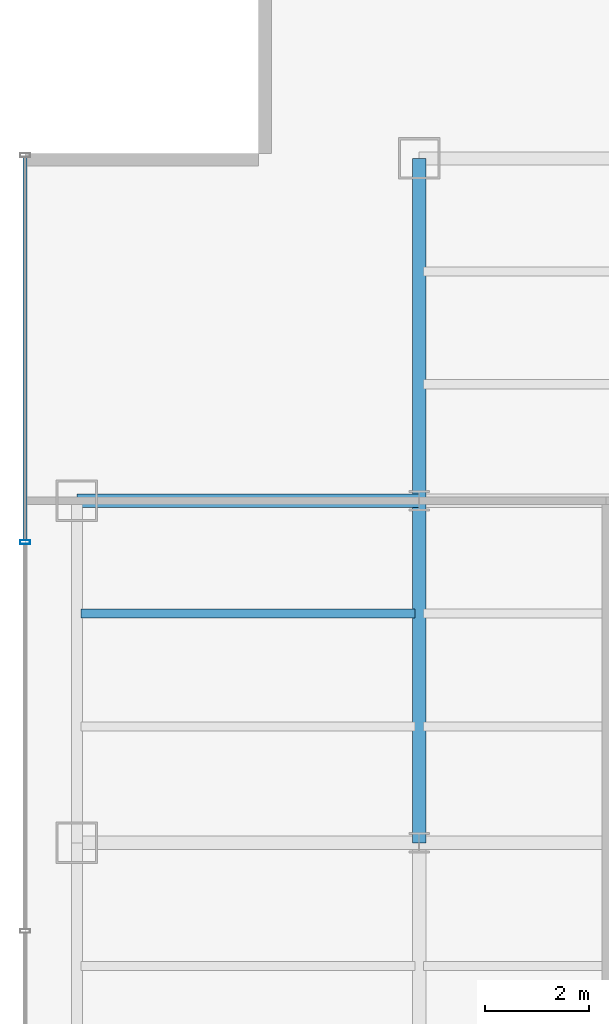
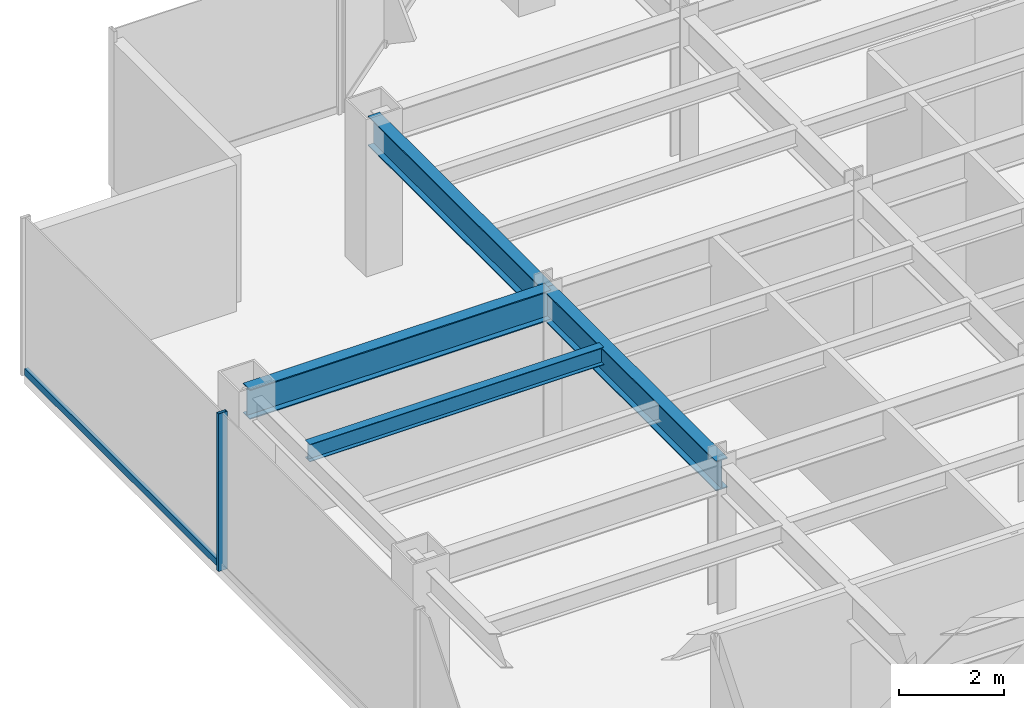
# One storey, part 6 of 26: 4 beams, 2 members, 1 element without a shape of its own.
"""IFC4 building model written with IfcOpenShell, lengths in metres."""

from ifc_helpers import new_model, si_unit, derived_unit, direction, frame, origin, origin_2d, place, context, subcontext, project, spatial, hollow_rectangle, i_section, extrude, source, transform, mapped, material, material_profile, profile_set, type_object, element, aggregate, save


model = new_model("IFC4")

# Units and contexts
model_context = context("Model", 3, precision=1e-05, world=origin(), true_north=direction((0.0, 1.0)))
body_context = subcontext(model_context, "Body", "Model", "MODEL_VIEW")
ifc_project = project(units=[si_unit("LENGTHUNIT", "METRE"), si_unit("AREAUNIT", "SQUARE_METRE"), si_unit("VOLUMEUNIT", "CUBIC_METRE"), si_unit("PLANEANGLEUNIT", "RADIAN"), si_unit("MASSUNIT", "GRAM", prefix="KILO"), derived_unit("THERMALTRANSMITTANCEUNIT", [(si_unit("POWERUNIT", "WATT"), 1), (si_unit("LENGTHUNIT", "METRE"), -2), (si_unit("THERMODYNAMICTEMPERATUREUNIT", "KELVIN"), -1)])], contexts=[model_context])

# Site, building, storey
site_placement = place(None, origin())
site = spatial("IfcSite", under=ifc_project, at=site_placement, CompositionType="ELEMENT")
building_placement = place(site_placement, origin())
building = spatial("IfcBuilding", under=site, at=building_placement, Name="Skarnbrae Concourse Arena and Tower", CompositionType="ELEMENT")
storey_placement = place(building_placement, frame((0.0, 0.0, 92.300048828125)))
storey = spatial("IfcBuildingStorey", under=building, at=storey_placement, Name="L22", CompositionType="ELEMENT", Elevation=92.300048828125)

# Beams
ifc_material_1 = material(Name="Steel CSA G40.21 350W", Category="steel")
ifc_material_profile_1 = material_profile(ifc_material_1, i_section(OverallWidth=0.256103515625, OverallDepth=0.693115234375, WebThickness=0.014404296875, FlangeThickness=0.023681640625, at=origin_2d()), Name="W690X170")
ifc_profile_set_1 = profile_set([ifc_material_profile_1], Name="Steel CSA G40.21 350W")
beam_type_1 = type_object("IfcBeamType", Name="BM-GIRD-W690X170", PredefinedType="BEAM", material=ifc_profile_set_1)
shared_shape_1 = source(origin(), body_context, "Body", "SweptSolid", [
    extrude(i_section(OverallWidth=0.256103515625, OverallDepth=0.693115234375, WebThickness=0.014404296875, FlangeThickness=0.023681640625, at=origin_2d()), origin(), (0.0, 0.0, 1.0), 6.60009765625),
])
for number, where, z_axis, x_axis, name in (
    (1, (1.0, 27.800048828125, 3.053466796875), (1.0, 0.0, 0.0), (0.0, 1.0, 0.0), "L22 Primary E-W girder Y27.8-1"),
    (2, (7.60009765625, 21.199951171875, 3.053466796875), (0.0, 1.0, 0.0), (-1.0, 0.0, 0.0), "L22 Primary N-S girder X7.6-2"),
):
    element("IfcBeam", number, at=place(storey_placement, frame(where, z_axis=z_axis, x_axis=x_axis)), inside=storey, type_object=beam_type_1, Name=name, PredefinedType="BEAM", context=body_context, shape_type="MappedRepresentation", body=[
        mapped(shared_shape_1, transform((0.0, 0.0, 0.0))),
    ])
shared_shape_2 = source(origin(), body_context, "Body", "SweptSolid", [
    extrude(i_section(OverallWidth=0.256103515625, OverallDepth=0.693115234375, WebThickness=0.014404296875, FlangeThickness=0.023681640625, at=origin_2d()), origin(), (0.0, 0.0, 1.0), 6.599853515625),
])
beam_1_placement = place(storey_placement, frame((7.60009765625, 27.800048828125, 3.053466796875), z_axis=(0.0, 1.0, 0.0), x_axis=(-1.0, 0.0, 0.0)))
element("IfcBeam", 3, at=beam_1_placement, inside=storey, type_object=beam_type_1, Name="L22 Primary N-S girder X7.6-3", PredefinedType="BEAM", context=body_context, shape_type="MappedRepresentation", body=[
    mapped(shared_shape_2, transform((0.0, 0.0, 0.0))),
])
ifc_material_profile_2 = material_profile(ifc_material_1, i_section(OverallWidth=0.177978515625, OverallDepth=0.406982421875, WebThickness=0.0078125, FlangeThickness=0.0126953125, at=origin_2d()), Name="W410X60")
ifc_profile_set_2 = profile_set([ifc_material_profile_2], Name="Steel CSA G40.21 350W")
beam_type_2 = type_object("IfcBeamType", Name="BM-JOIST-W410X60", PredefinedType="JOIST", material=ifc_profile_set_2)
shared_shape_3 = source(origin(), body_context, "Body", "SweptSolid", [
    extrude(i_section(OverallWidth=0.177978515625, OverallDepth=0.406982421875, WebThickness=0.0078125, FlangeThickness=0.0126953125, at=origin_2d()), origin(), (0.0, 0.0, 1.0), 6.43994140625),
])
beam_2_placement = place(storey_placement, frame((1.080078125, 25.6220703125, 3.196533203125), z_axis=(1.0, 0.0, 0.0), x_axis=(0.0, 1.0, 0.0)))
element("IfcBeam", 4, at=beam_2_placement, inside=storey, type_object=beam_type_2, Name="L22 Secondary floor joist 2.2.1", PredefinedType="JOIST", context=body_context, shape_type="MappedRepresentation", body=[
    mapped(shared_shape_3, transform((0.0, 0.0, 0.0))),
])

# Curtain wall, members
ifc_material_2 = material(Name="Bronze anodised aluminium 6063-T6", Category="aluminium")
curtain_wall_type = type_object("IfcCurtainWallType", Name="CW-SYS-04-MIDZONE", PredefinedType="USERDEFINED", material=ifc_material_2)
curtain_wall_placement = place(storey_placement, origin())
curtain_wall = element("IfcCurtainWall", 5, at=curtain_wall_placement, inside=storey, type_object=curtain_wall_type, Name="L22 Unitised curtain wall CW-L22-E19", ObjectType="UNITISED CURTAIN WALL", PredefinedType="USERDEFINED")
ifc_material_profile_3 = material_profile(ifc_material_2, hollow_rectangle(XDim=0.074951171875, YDim=0.159912109375, WallThickness=0.00439453125, at=origin_2d()), Name="ALU-TRAN-75X160")
ifc_profile_set_3 = profile_set([ifc_material_profile_3], Name="Bronze anodised aluminium 6063-T6")
member_type_1 = type_object("IfcMemberType", Name="CWT-CW-04", PredefinedType="USERDEFINED", material=ifc_profile_set_3)
shared_shape_4 = source(origin(), body_context, "Body", "SweptSolid", [
    extrude(hollow_rectangle(XDim=0.074951171875, YDim=0.159912109375, WallThickness=0.00439453125, at=origin_2d()), origin(), (0.0, 0.0, 1.0), 7.387451171875),
])
member_1_placement = place(storey_placement, frame((0.0, 34.425048828125, 0.079833984375), z_axis=(0.0, -1.0, 0.0), x_axis=(1.0, 0.0, 0.0)))
member_1 = element("IfcMember", 6, at=member_1_placement, type_object=member_type_1, Name="CW-L22-E19 Transom 1", ObjectType="TRANSOM", PredefinedType="USERDEFINED", context=body_context, shape_type="MappedRepresentation", body=[
    mapped(shared_shape_4, transform((0.0, 0.0, 0.0))),
])
ifc_material_profile_4 = material_profile(ifc_material_2, hollow_rectangle(XDim=0.074951171875, YDim=0.195068359375, WallThickness=0.00439453125, at=origin_2d()), Name="ALU-MULL-75X195")
ifc_profile_set_4 = profile_set([ifc_material_profile_4], Name="Bronze anodised aluminium 6063-T6")
member_type_2 = type_object("IfcMemberType", Name="CWM-CW-04", PredefinedType="MULLION", material=ifc_profile_set_4)
shared_shape_5 = source(origin(), body_context, "Body", "SweptSolid", [
    extrude(hollow_rectangle(XDim=0.074951171875, YDim=0.195068359375, WallThickness=0.00439453125, at=origin_2d()), origin(), (0.0, 0.0, 1.0), 3.64990234375),
])
member_2_placement = place(storey_placement, frame((0.0, 27.0, 0.0), z_axis=(0.0, 0.0, 1.0), x_axis=(0.0, -1.0, 0.0)))
member_2 = element("IfcMember", 7, at=member_2_placement, type_object=member_type_2, Name="CW-L22-E19 Mullion 2", PredefinedType="MULLION", context=body_context, shape_type="MappedRepresentation", body=[
    mapped(shared_shape_5, transform((0.0, 0.0, 0.0))),
])
aggregate(curtain_wall, [member_2, member_1])

save(model, "model.ifc")
